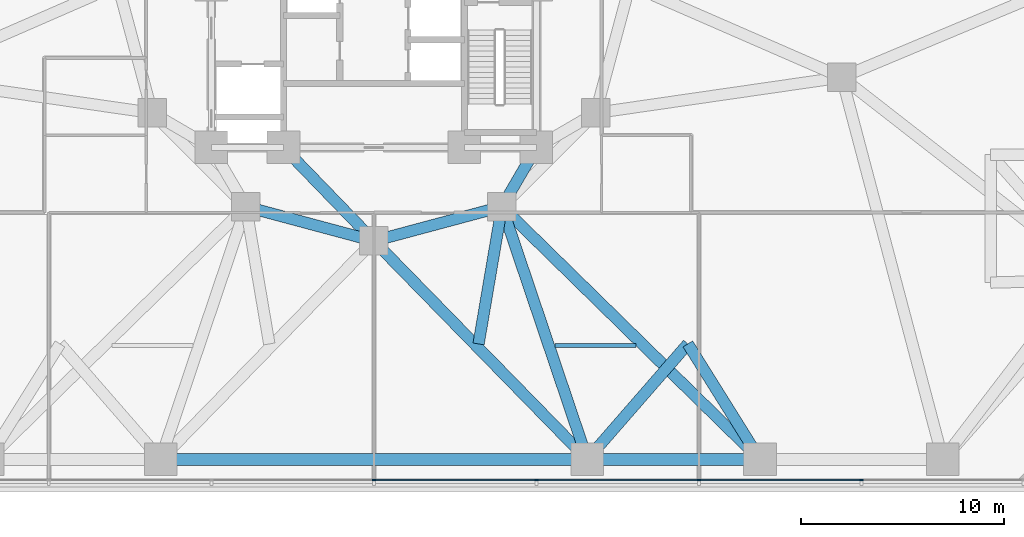
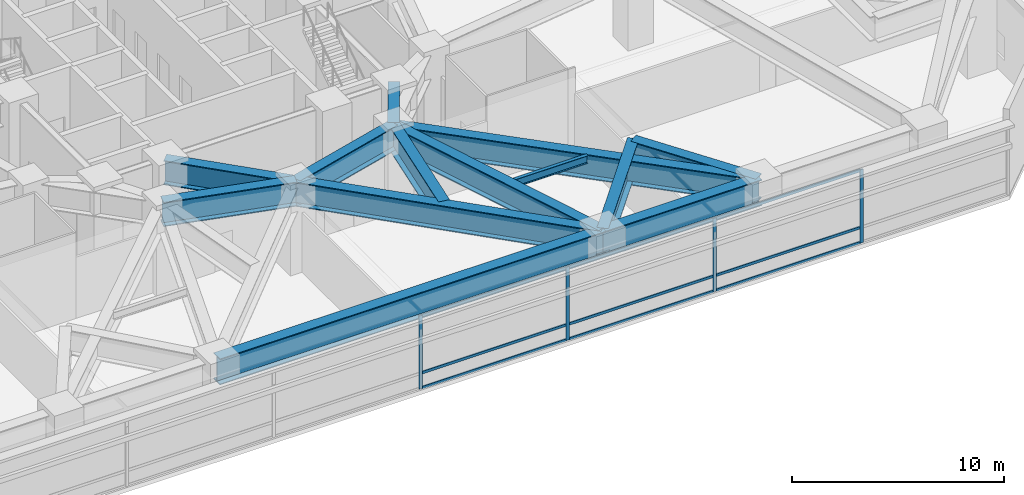
# One storey, part 7 of 27: 13 beams, 13 members, 1 element without a shape of its own.
"""IFC4 building model written with IfcOpenShell, lengths in metres."""

from ifc_helpers import new_model, si_unit, direction, frame, origin, origin_2d, place, context, subcontext, project, spatial, rectangle, i_section, extrude, material, layer, layer_set, material_profile, profile_set, type_object, element, aggregate, save


model = new_model("IFC4")

# Units and contexts
model_context = context("Model", 3, precision=1e-05, world=origin(), true_north=direction((0.0, 1.0)))
body_context = subcontext(model_context, "Body", "Model", "MODEL_VIEW")
ifc_project = project(units=[si_unit("LENGTHUNIT", "METRE"), si_unit("AREAUNIT", "SQUARE_METRE"), si_unit("VOLUMEUNIT", "CUBIC_METRE"), si_unit("PLANEANGLEUNIT", "RADIAN"), si_unit("MASSUNIT", "GRAM", prefix="KILO")], contexts=[model_context])

# Site, building, storey
site_placement = place(None, origin())
site = spatial("IfcSite", under=ifc_project, at=site_placement, CompositionType="ELEMENT")
building_placement = place(site_placement, origin())
building = spatial("IfcBuilding", under=site, at=building_placement, Name="Terralouvre Media Tower", CompositionType="ELEMENT")
storey_placement = place(building_placement, frame((0.0, 0.0, 20.800048828125)))
storey = spatial("IfcBuildingStorey", under=building, at=storey_placement, Name="L04", CompositionType="ELEMENT", Elevation=20.800048828125)

# Beam
ifc_material_1 = material(Name="Structural steel S355J2", Category="steel")
ifc_material_profile_1 = material_profile(ifc_material_1, i_section(OverallWidth=0.18994140625, OverallDepth=0.449951171875, WebThickness=0.009521484375, FlangeThickness=0.0146484375, at=origin_2d()), Name="IPE 450")
ifc_profile_set_1 = profile_set([ifc_material_profile_1], Name="Structural steel S355J2")
beam_type_1 = type_object("IfcBeamType", Name="Composite Floor Joist J-IPE450 (IPE 450)", PredefinedType="JOIST", material=ifc_profile_set_1)
beam_1_placement = place(storey_placement, frame((8.903564453125, -17.7529296875, 4.71484375), z_axis=(1.0, 0.0, 0.0), x_axis=(0.0, 1.0, 0.0)))
element("IfcBeam", 1, at=beam_1_placement, inside=storey, type_object=beam_type_1, Name="L04 Framing Beam JT-L04-05", PredefinedType="JOIST", context=body_context, shape_type="SweptSolid", body=[
    extrude(i_section(OverallWidth=0.18994140625, OverallDepth=0.449951171875, WebThickness=0.009521484375, FlangeThickness=0.0146484375, at=origin_2d()), origin(), (0.0, 0.0, 1.0), 3.983154296875),
])

# Curtain wall, members
ifc_material_2 = material(Name="Low-iron laminated double glazing with solar-control coating", Category="glass")
ifc_layer = layer(ifc_material_2, 0.1650390625, Name="Podium Broadcast Gallery Glazing CW-01")
ifc_layer_set = layer_set([ifc_layer], Name="Low-iron laminated double glazing with solar-control coating")
curtain_wall_type = type_object("IfcCurtainWallType", Name="Podium Broadcast Gallery Glazing CW-01", PredefinedType="NOTDEFINED", material=ifc_layer_set)
curtain_wall_placement = place(storey_placement, origin())
curtain_wall = element("IfcCurtainWall", 2, at=curtain_wall_placement, inside=storey, type_object=curtain_wall_type, Name="L04 Podium Curtain Wall F0", PredefinedType="NOTDEFINED")
ifc_material_3 = material(Name="Anodised extruded aluminium 6063-T6", Category="aluminium")
ifc_material_profile_2 = material_profile(ifc_material_3, rectangle(XDim=0.074951171875, YDim=0.14990234375, at=origin_2d()), Name="ALU 75x150")
ifc_profile_set_2 = profile_set([ifc_material_profile_2], Name="Anodised extruded aluminium 6063-T6")
member_type_1 = type_object("IfcMemberType", Name="Curtain-Wall Horizontal Transom TR-150", PredefinedType="USERDEFINED", material=ifc_profile_set_2)
member_1_placement = place(storey_placement, frame((0.03759765625, -24.360107421875, 0.037353515625), z_axis=(1.0, 0.0, 0.0), x_axis=(0.0, 1.0, 0.0)))
member_1 = element("IfcMember", 3, at=member_1_placement, type_object=member_type_1, Name="CW-01 transom 5.1", ObjectType="TRANSOM", PredefinedType="USERDEFINED", context=body_context, shape_type="SweptSolid", body=[
    extrude(rectangle(XDim=0.074951171875, YDim=0.14990234375, at=origin_2d()), origin(), (0.0, 0.0, 1.0), 7.9248046875),
])
member_2_placement = place(storey_placement, frame((0.03759765625, -24.360107421875, 0.89990234375), z_axis=(1.0, 0.0, 0.0), x_axis=(0.0, 1.0, 0.0)))
member_2 = element("IfcMember", 4, at=member_2_placement, type_object=member_type_1, Name="CW-01 transom 5.2", ObjectType="TRANSOM", PredefinedType="USERDEFINED", context=body_context, shape_type="SweptSolid", body=[
    extrude(rectangle(XDim=0.074951171875, YDim=0.14990234375, at=origin_2d()), origin(), (0.0, 0.0, 1.0), 7.9248046875),
])
member_3_placement = place(storey_placement, frame((0.03759765625, -24.360107421875, 4.182373046875), z_axis=(1.0, 0.0, 0.0), x_axis=(0.0, 1.0, 0.0)))
member_3 = element("IfcMember", 5, at=member_3_placement, type_object=member_type_1, Name="CW-01 transom 5.3", ObjectType="TRANSOM", PredefinedType="USERDEFINED", context=body_context, shape_type="SweptSolid", body=[
    extrude(rectangle(XDim=0.074951171875, YDim=0.14990234375, at=origin_2d()), origin(), (0.0, 0.0, 1.0), 7.9248046875),
])
member_4_placement = place(storey_placement, frame((8.03759765625, -24.360107421875, 0.037353515625), z_axis=(1.0, 0.0, 0.0), x_axis=(0.0, 1.0, 0.0)))
member_4 = element("IfcMember", 6, at=member_4_placement, type_object=member_type_1, Name="CW-01 transom 6.1", ObjectType="TRANSOM", PredefinedType="USERDEFINED", context=body_context, shape_type="SweptSolid", body=[
    extrude(rectangle(XDim=0.074951171875, YDim=0.14990234375, at=origin_2d()), origin(), (0.0, 0.0, 1.0), 7.9248046875),
])
member_5_placement = place(storey_placement, frame((8.03759765625, -24.360107421875, 0.89990234375), z_axis=(1.0, 0.0, 0.0), x_axis=(0.0, 1.0, 0.0)))
member_5 = element("IfcMember", 7, at=member_5_placement, type_object=member_type_1, Name="CW-01 transom 6.2", ObjectType="TRANSOM", PredefinedType="USERDEFINED", context=body_context, shape_type="SweptSolid", body=[
    extrude(rectangle(XDim=0.074951171875, YDim=0.14990234375, at=origin_2d()), origin(), (0.0, 0.0, 1.0), 7.9248046875),
])
member_6_placement = place(storey_placement, frame((8.03759765625, -24.360107421875, 4.182373046875), z_axis=(1.0, 0.0, 0.0), x_axis=(0.0, 1.0, 0.0)))
member_6 = element("IfcMember", 8, at=member_6_placement, type_object=member_type_1, Name="CW-01 transom 6.3", ObjectType="TRANSOM", PredefinedType="USERDEFINED", context=body_context, shape_type="SweptSolid", body=[
    extrude(rectangle(XDim=0.074951171875, YDim=0.14990234375, at=origin_2d()), origin(), (0.0, 0.0, 1.0), 7.9248046875),
])
member_7_placement = place(storey_placement, frame((16.03759765625, -24.360107421875, 0.037353515625), z_axis=(1.0, 0.0, 0.0), x_axis=(0.0, 1.0, 0.0)))
member_7 = element("IfcMember", 9, at=member_7_placement, type_object=member_type_1, Name="CW-01 transom 7.1", ObjectType="TRANSOM", PredefinedType="USERDEFINED", context=body_context, shape_type="SweptSolid", body=[
    extrude(rectangle(XDim=0.074951171875, YDim=0.14990234375, at=origin_2d()), origin(), (0.0, 0.0, 1.0), 7.9248046875),
])
member_8_placement = place(storey_placement, frame((16.03759765625, -24.360107421875, 0.89990234375), z_axis=(1.0, 0.0, 0.0), x_axis=(0.0, 1.0, 0.0)))
member_8 = element("IfcMember", 10, at=member_8_placement, type_object=member_type_1, Name="CW-01 transom 7.2", ObjectType="TRANSOM", PredefinedType="USERDEFINED", context=body_context, shape_type="SweptSolid", body=[
    extrude(rectangle(XDim=0.074951171875, YDim=0.14990234375, at=origin_2d()), origin(), (0.0, 0.0, 1.0), 7.9248046875),
])
member_9_placement = place(storey_placement, frame((16.03759765625, -24.360107421875, 4.182373046875), z_axis=(1.0, 0.0, 0.0), x_axis=(0.0, 1.0, 0.0)))
member_9 = element("IfcMember", 11, at=member_9_placement, type_object=member_type_1, Name="CW-01 transom 7.3", ObjectType="TRANSOM", PredefinedType="USERDEFINED", context=body_context, shape_type="SweptSolid", body=[
    extrude(rectangle(XDim=0.074951171875, YDim=0.14990234375, at=origin_2d()), origin(), (0.0, 0.0, 1.0), 7.9248046875),
])
ifc_material_4 = material(Name="Anodised extruded aluminium 6063-T6", Category="aluminium")
ifc_material_profile_3 = material_profile(ifc_material_4, rectangle(XDim=0.074951171875, YDim=0.179931640625, at=origin_2d()), Name="ALU 75x180")
ifc_profile_set_3 = profile_set([ifc_material_profile_3], Name="Anodised extruded aluminium 6063-T6")
member_type_2 = type_object("IfcMemberType", Name="Curtain-Wall Vertical Mullion ML-180", PredefinedType="MULLION", material=ifc_profile_set_3)
member_10_placement = place(storey_placement, frame((0.0, -24.360107421875, 0.0), z_axis=(0.0, 0.0, 1.0), x_axis=(0.0, 1.0, 0.0)))
member_10 = element("IfcMember", 12, at=member_10_placement, type_object=member_type_2, Name="CW-01 mullion 5", PredefinedType="MULLION", context=body_context, shape_type="SweptSolid", body=[
    extrude(rectangle(XDim=0.074951171875, YDim=0.179931640625, at=origin_2d()), origin(), (0.0, 0.0, 1.0), 4.219970703125),
])
member_11_placement = place(storey_placement, frame((8.0, -24.360107421875, 0.0), z_axis=(0.0, 0.0, 1.0), x_axis=(0.0, 1.0, 0.0)))
member_11 = element("IfcMember", 13, at=member_11_placement, type_object=member_type_2, Name="CW-01 mullion 6", PredefinedType="MULLION", context=body_context, shape_type="SweptSolid", body=[
    extrude(rectangle(XDim=0.074951171875, YDim=0.179931640625, at=origin_2d()), origin(), (0.0, 0.0, 1.0), 4.219970703125),
])
member_12_placement = place(storey_placement, frame((16.0, -24.360107421875, 0.0), z_axis=(0.0, 0.0, 1.0), x_axis=(0.0, 1.0, 0.0)))
member_12 = element("IfcMember", 14, at=member_12_placement, type_object=member_type_2, Name="CW-01 mullion 7", PredefinedType="MULLION", context=body_context, shape_type="SweptSolid", body=[
    extrude(rectangle(XDim=0.074951171875, YDim=0.179931640625, at=origin_2d()), origin(), (0.0, 0.0, 1.0), 4.219970703125),
])
member_13_placement = place(storey_placement, frame((24.0, -24.360107421875, 0.0), z_axis=(0.0, 0.0, 1.0), x_axis=(0.0, 1.0, 0.0)))
member_13 = element("IfcMember", 15, at=member_13_placement, type_object=member_type_2, Name="CW-01 mullion 8", PredefinedType="MULLION", context=body_context, shape_type="SweptSolid", body=[
    extrude(rectangle(XDim=0.074951171875, YDim=0.179931640625, at=origin_2d()), origin(), (0.0, 0.0, 1.0), 4.219970703125),
])
aggregate(curtain_wall, [member_10, member_11, member_12, member_13, member_1, member_2, member_3, member_4, member_5, member_6, member_7, member_8, member_9])

# Beams
ifc_material_5 = material(Name="Structural steel S460M", Category="steel")
ifc_material_profile_4 = material_profile(ifc_material_5, i_section(OverallWidth=0.56005859375, OverallDepth=1.39990234375, WebThickness=0.031982421875, FlangeThickness=0.050048828125, at=origin_2d()), Name="TG 1400x560")
ifc_profile_set_4 = profile_set([ifc_material_profile_4], Name="Structural steel S460M")
beam_type_2 = type_object("IfcBeamType", Name="Welded Transfer Girder TG-1400 (TG 1400x560)", PredefinedType="USERDEFINED", material=ifc_profile_set_4)
for number, where, z_axis, x_axis, name in (
    (16, (-6.300048828125, -10.911865234375, 4.239990234375), (0.965920481897, -0.258838989821, 0.0), (0.258838989821, 0.965920481897, 0.0), "L04 Framing Beam BM-L04-MR02"),
    (17, (0.0, -12.60009765625, 4.239990234375), (0.965920481897, 0.258838989821, 0.0), (-0.258838989821, 0.965920481897, 0.0), "L04 Framing Beam BM-L04-MR03"),
):
    element("IfcBeam", number, at=place(storey_placement, frame(where, z_axis=z_axis, x_axis=x_axis)), inside=storey, type_object=beam_type_2, Name=name, ObjectType="TRANSFER GIRDER", PredefinedType="USERDEFINED", context=body_context, shape_type="SweptSolid", body=[
        extrude(i_section(OverallWidth=0.56005859375, OverallDepth=1.39990234375, WebThickness=0.031982421875, FlangeThickness=0.050048828125, at=origin_2d()), origin(), (0.0, 0.0, 1.0), 6.522216796875),
    ])
beam_2_placement = place(storey_placement, frame((-4.449951171875, -8.0, 4.239990234375), z_axis=(0.695279715726, -0.718739255155, 0.0), x_axis=(0.718739255155, 0.695279715726, 0.0)))
element("IfcBeam", 18, at=beam_2_placement, inside=storey, type_object=beam_type_2, Name="L04 Framing Beam BM-L04-CM03", ObjectType="TRANSFER GIRDER", PredefinedType="USERDEFINED", context=body_context, shape_type="SweptSolid", body=[
    extrude(i_section(OverallWidth=0.56005859375, OverallDepth=1.39990234375, WebThickness=0.031982421875, FlangeThickness=0.050048828125, at=origin_2d()), origin(), (0.0, 0.0, 1.0), 6.400146484375),
])
beam_3_placement = place(storey_placement, frame((8.0, -8.0, 4.239990234375), z_axis=(-0.504172629717, -0.863602894532, 0.0), x_axis=(0.863602894532, -0.504172629717, 0.0)))
element("IfcBeam", 19, at=beam_3_placement, inside=storey, type_object=beam_type_2, Name="L04 Framing Beam BM-L04-CM04", ObjectType="TRANSFER GIRDER", PredefinedType="USERDEFINED", context=body_context, shape_type="SweptSolid", body=[
    extrude(i_section(OverallWidth=0.56005859375, OverallDepth=1.39990234375, WebThickness=0.031982421875, FlangeThickness=0.050048828125, at=origin_2d()), origin(), (0.0, 0.0, 1.0), 3.371826171875),
])
beam_4_placement = place(storey_placement, frame((6.300048828125, -10.911865234375, 4.239990234375), z_axis=(0.319918670086, -0.947445008711, 0.0), x_axis=(0.947445008711, 0.319918670086, 0.0)))
element("IfcBeam", 20, at=beam_4_placement, inside=storey, type_object=beam_type_2, Name="L04 Framing Beam BM-L04-RD05", ObjectType="TRANSFER GIRDER", PredefinedType="USERDEFINED", context=body_context, shape_type="SweptSolid", body=[
    extrude(i_section(OverallWidth=0.56005859375, OverallDepth=1.39990234375, WebThickness=0.031982421875, FlangeThickness=0.050048828125, at=origin_2d()), origin(), (0.0, 0.0, 1.0), 13.128173828125),
])
beam_5_placement = place(storey_placement, frame((6.300048828125, -10.911865234375, 4.239990234375), z_axis=(0.714429895313, -0.69970702775, 0.0), x_axis=(0.69970702775, 0.714429895313, 0.0)))
element("IfcBeam", 21, at=beam_5_placement, inside=storey, type_object=beam_type_2, Name="L04 Framing Beam BM-L04-RD06", ObjectType="TRANSFER GIRDER", PredefinedType="USERDEFINED", context=body_context, shape_type="SweptSolid", body=[
    extrude(i_section(OverallWidth=0.56005859375, OverallDepth=1.39990234375, WebThickness=0.031982421875, FlangeThickness=0.050048828125, at=origin_2d()), origin(), (0.0, 0.0, 1.0), 17.7763671875),
])
beam_6_placement = place(storey_placement, frame((0.0, -12.60009765625, 4.239990234375), z_axis=(0.698739523875, -0.715376179206, 0.0), x_axis=(0.715376179206, 0.698739523875, 0.0)))
element("IfcBeam", 22, at=beam_6_placement, inside=storey, type_object=beam_type_2, Name="L04 Framing Beam BM-L04-TRC03", ObjectType="TRANSFER GIRDER", PredefinedType="USERDEFINED", context=body_context, shape_type="SweptSolid", body=[
    extrude(i_section(OverallWidth=0.56005859375, OverallDepth=1.39990234375, WebThickness=0.031982421875, FlangeThickness=0.050048828125, at=origin_2d()), origin(), (0.0, 0.0, 1.0), 15.027099609375),
])
beam_7_placement = place(storey_placement, frame((5.14990234375, -17.666748046875, 4.239990234375), z_axis=(0.167853129882, 0.98581201392, 0.0), x_axis=(-0.98581201392, 0.167853129882, 0.0)))
element("IfcBeam", 23, at=beam_7_placement, inside=storey, type_object=beam_type_2, Name="L04 Framing Beam BM-L04-TR03S1", ObjectType="TRANSFER GIRDER", PredefinedType="USERDEFINED", context=body_context, shape_type="SweptSolid", body=[
    extrude(i_section(OverallWidth=0.56005859375, OverallDepth=1.39990234375, WebThickness=0.031982421875, FlangeThickness=0.050048828125, at=origin_2d()), origin(), (0.0, 0.0, 1.0), 6.85205078125),
])
beam_8_placement = place(storey_placement, frame((15.449951171875, -17.666748046875, 4.239990234375), z_axis=(0.529779502539, -0.848135412944, 0.0), x_axis=(0.848135412944, 0.529779502539, 0.0)))
element("IfcBeam", 24, at=beam_8_placement, inside=storey, type_object=beam_type_2, Name="L04 Framing Beam BM-L04-TR04S1", ObjectType="TRANSFER GIRDER", PredefinedType="USERDEFINED", context=body_context, shape_type="SweptSolid", body=[
    extrude(i_section(OverallWidth=0.56005859375, OverallDepth=1.39990234375, WebThickness=0.031982421875, FlangeThickness=0.050048828125, at=origin_2d()), origin(), (0.0, 0.0, 1.0), 6.700927734375),
])
beam_9_placement = place(storey_placement, frame((15.449951171875, -17.666748046875, 4.239990234375), z_axis=(-0.656775991205, -0.754085736092, 0.0), x_axis=(0.754085736092, -0.656775991205, 0.0)))
element("IfcBeam", 25, at=beam_9_placement, inside=storey, type_object=beam_type_2, Name="L04 Framing Beam BM-L04-TR04S2", ObjectType="TRANSFER GIRDER", PredefinedType="USERDEFINED", context=body_context, shape_type="SweptSolid", body=[
    extrude(i_section(OverallWidth=0.56005859375, OverallDepth=1.39990234375, WebThickness=0.031982421875, FlangeThickness=0.050048828125, at=origin_2d()), origin(), (0.0, 0.0, 1.0), 7.53662109375),
])
ifc_material_6 = material(Name="Structural steel S460M", Category="steel")
ifc_material_profile_5 = material_profile(ifc_material_6, i_section(OverallWidth=0.60009765625, OverallDepth=1.5, WebThickness=0.033935546875, FlangeThickness=0.054931640625, at=origin_2d()), Name="PG 1500x600")
ifc_profile_set_5 = profile_set([ifc_material_profile_5], Name="Structural steel S460M")
beam_type_3 = type_object("IfcBeamType", Name="Welded Transfer Girder TG-1500 (PG 1500x600)", PredefinedType="USERDEFINED", material=ifc_profile_set_5)
beam_10_placement = place(storey_placement, frame((-10.5, -23.35009765625, 4.18994140625), z_axis=(1.0, 0.0, 0.0), x_axis=(0.0, 1.0, 0.0)))
element("IfcBeam", 26, at=beam_10_placement, inside=storey, type_object=beam_type_3, Name="L04 Framing Beam BM-L04-PR04", ObjectType="TRANSFER GIRDER", PredefinedType="USERDEFINED", context=body_context, shape_type="SweptSolid", body=[
    extrude(i_section(OverallWidth=0.60009765625, OverallDepth=1.5, WebThickness=0.033935546875, FlangeThickness=0.054931640625, at=origin_2d()), origin(), (0.0, 0.0, 1.0), 21.0),
])
beam_11_placement = place(storey_placement, frame((10.5, -23.35009765625, 4.18994140625), z_axis=(1.0, 0.0, 0.0), x_axis=(0.0, 1.0, 0.0)))
element("IfcBeam", 27, at=beam_11_placement, inside=storey, type_object=beam_type_3, Name="L04 Framing Beam BM-L04-PR05", ObjectType="TRANSFER GIRDER", PredefinedType="USERDEFINED", context=body_context, shape_type="SweptSolid", body=[
    extrude(i_section(OverallWidth=0.60009765625, OverallDepth=1.5, WebThickness=0.033935546875, FlangeThickness=0.054931640625, at=origin_2d()), origin(), (0.0, 0.0, 1.0), 8.5),
])

save(model, "model.ifc")
